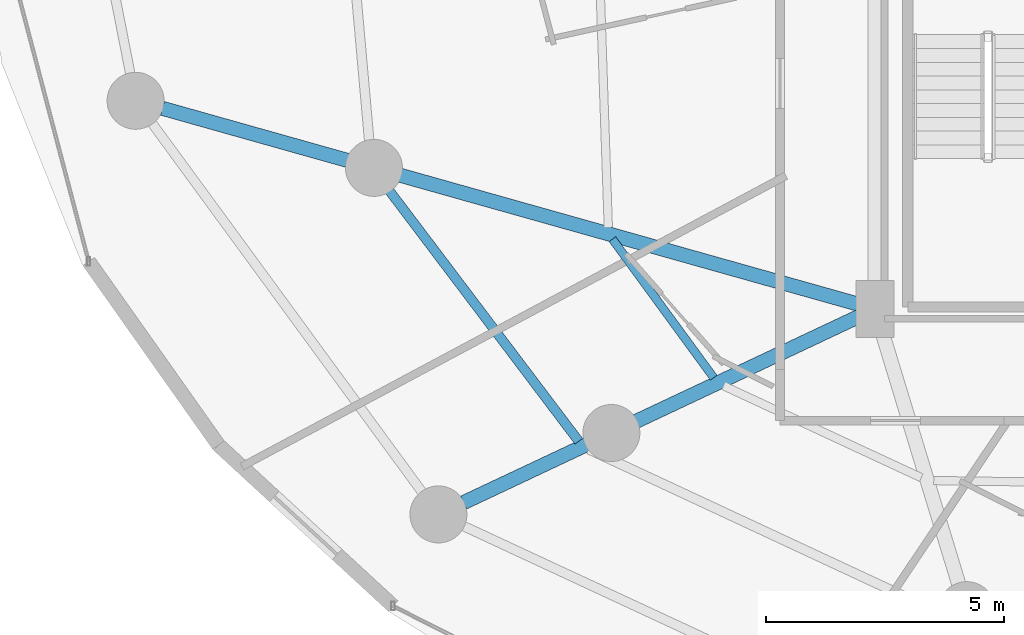
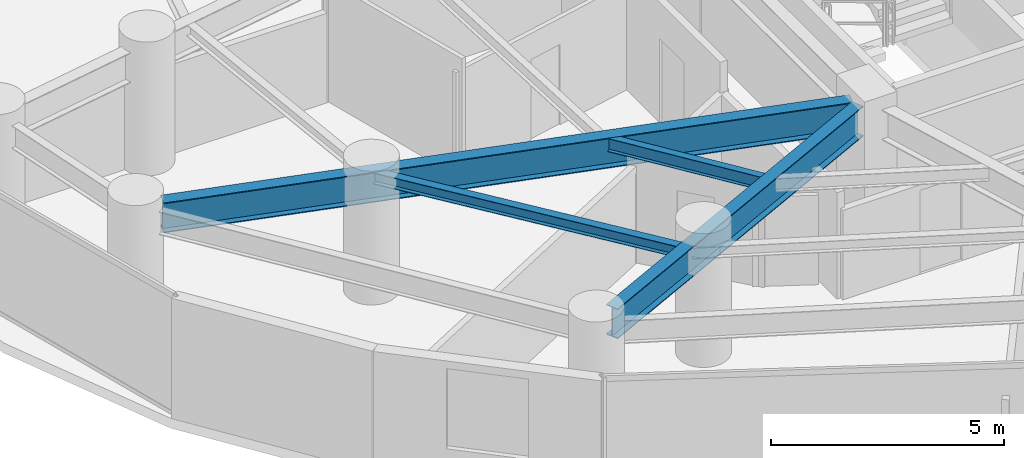
# One storey, part 4 of 34: 4 beams.
"""IFC4 building model written with IfcOpenShell, lengths in metres."""

from ifc_helpers import new_model, si_unit, direction, frame, origin, origin_2d, place, context, subcontext, project, spatial, i_section, extrude, material, material_profile, profile_set, type_object, element, save


model = new_model("IFC4")

# Units and contexts
model_context = context("Model", 3, precision=1e-05, world=origin(), true_north=direction((0.0, 1.0)))
body_context = subcontext(model_context, "Body", "Model", "MODEL_VIEW")
ifc_project = project(units=[si_unit("LENGTHUNIT", "METRE"), si_unit("AREAUNIT", "SQUARE_METRE"), si_unit("VOLUMEUNIT", "CUBIC_METRE"), si_unit("PLANEANGLEUNIT", "RADIAN"), si_unit("MASSUNIT", "GRAM", prefix="KILO")], contexts=[model_context])

# Site, building, storey
site_placement = place(None, origin())
site = spatial("IfcSite", under=ifc_project, at=site_placement, CompositionType="ELEMENT")
building_placement = place(site_placement, origin())
building = spatial("IfcBuilding", under=site, at=building_placement, Name="Vorneva Point Tower", CompositionType="ELEMENT")
storey_placement = place(building_placement, frame((0.0, 0.0, 66.0)))
storey = spatial("IfcBuildingStorey", under=building, at=storey_placement, Name="L17", CompositionType="ELEMENT", Elevation=66.0)

# Beams
ifc_material = material(Name="Steel S355", Category="steel")
ifc_material_profile_1 = material_profile(ifc_material, i_section(OverallWidth=0.300048828125, OverallDepth=0.7880859375, WebThickness=0.014404296875, FlangeThickness=0.02197265625, at=origin_2d()), Name="80Sh1")
ifc_profile_set_1 = profile_set([ifc_material_profile_1], Name="Steel S355")
beam_type_1 = type_object("IfcBeamType", Name="BM-GRD-80Sh1", PredefinedType="USERDEFINED", material=ifc_profile_set_1)
beam_1_placement = place(storey_placement, frame((12.254150390625, 20.67041015625, 2.756103515625), z_axis=(0.962601076089, -0.270922808772, 0.0), x_axis=(0.270922808772, 0.962601076089, 0.0)))
element("IfcBeam", 1, at=beam_1_placement, inside=storey, type_object=beam_type_1, Name="L17 Radial Primary Girder 10", ObjectType="GIRDER", PredefinedType="USERDEFINED", context=body_context, shape_type="SweptSolid", body=[
    extrude(i_section(OverallWidth=0.300048828125, OverallDepth=0.7880859375, WebThickness=0.014404296875, FlangeThickness=0.02197265625, at=origin_2d()), origin(), (0.0, 0.0, 1.0), 15.23828125),
])
beam_2_placement = place(storey_placement, frame((18.59326171875, 12.37451171875, 2.756103515625), z_axis=(0.904749139553, 0.425944825627, 0.0), x_axis=(-0.425944825627, 0.904749139553, 0.0)))
element("IfcBeam", 2, at=beam_2_placement, inside=storey, type_object=beam_type_1, Name="L17 Radial Primary Girder 11", ObjectType="GIRDER", PredefinedType="USERDEFINED", context=body_context, shape_type="SweptSolid", body=[
    extrude(i_section(OverallWidth=0.300048828125, OverallDepth=0.7880859375, WebThickness=0.014404296875, FlangeThickness=0.02197265625, at=origin_2d()), origin(), (0.0, 0.0, 1.0), 9.22802734375),
])
ifc_material_profile_2 = material_profile(ifc_material, i_section(OverallWidth=0.199951171875, OverallDepth=0.291015625, WebThickness=0.008056640625, FlangeThickness=0.010986328125, at=origin_2d()), Name="30Sh1")
ifc_profile_set_2 = profile_set([ifc_material_profile_2], Name="Steel S355")
beam_type_2 = type_object("IfcBeamType", Name="BM-SEC-30Sh1", PredefinedType="BEAM", material=ifc_profile_set_2)
beam_3_placement = place(storey_placement, frame((16.73779296875, 19.32177734375, 3.00439453125), z_axis=(0.603030282925, -0.797718294811, 0.0), x_axis=(0.797718294811, 0.603030282925, 0.0)))
element("IfcBeam", 3, at=beam_3_placement, inside=storey, type_object=beam_type_2, Name="L17 Secondary Floor Beam 1.10", PredefinedType="BEAM", context=body_context, shape_type="SweptSolid", body=[
    extrude(i_section(OverallWidth=0.199951171875, OverallDepth=0.291015625, WebThickness=0.008056640625, FlangeThickness=0.010986328125, at=origin_2d()), origin(), (0.0, 0.0, 1.0), 7.0927734375),
])
ifc_material_profile_3 = material_profile(ifc_material, i_section(OverallWidth=0.174072265625, OverallDepth=0.345947265625, WebThickness=0.006103515625, FlangeThickness=0.009033203125, at=origin_2d()), Name="35B1")
ifc_profile_set_3 = profile_set([ifc_material_profile_3], Name="Steel S355")
beam_type_3 = type_object("IfcBeamType", Name="BM-SEC-35B1", PredefinedType="BEAM", material=ifc_profile_set_3)
beam_4_placement = place(storey_placement, frame((21.723388671875, 17.9169921875, 2.97705078125), z_axis=(0.590275873725, -0.807201581328, 0.0), x_axis=(0.807201581328, 0.590275873725, 0.0)))
element("IfcBeam", 4, at=beam_4_placement, inside=storey, type_object=beam_type_3, Name="L17 Secondary Floor Beam 2.10", PredefinedType="BEAM", context=body_context, shape_type="SweptSolid", body=[
    extrude(i_section(OverallWidth=0.174072265625, OverallDepth=0.345947265625, WebThickness=0.006103515625, FlangeThickness=0.009033203125, at=origin_2d()), origin(), (0.0, 0.0, 1.0), 3.611572265625),
])

save(model, "model.ifc")
